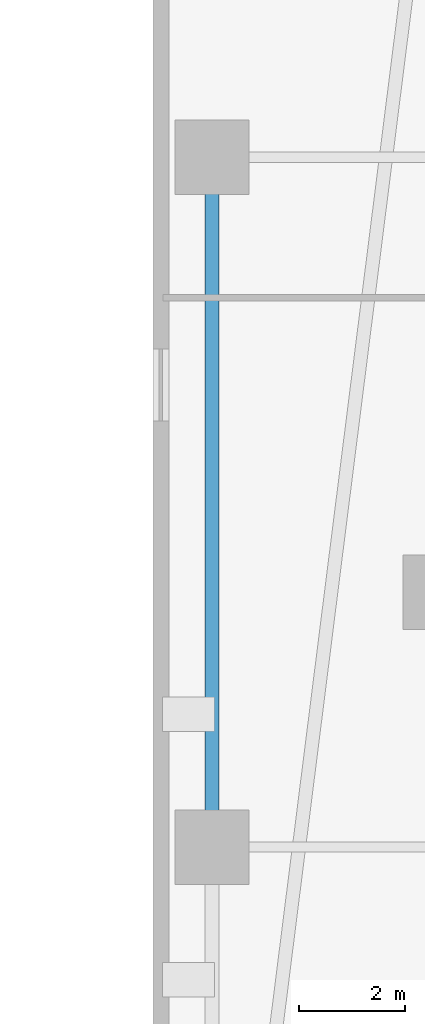
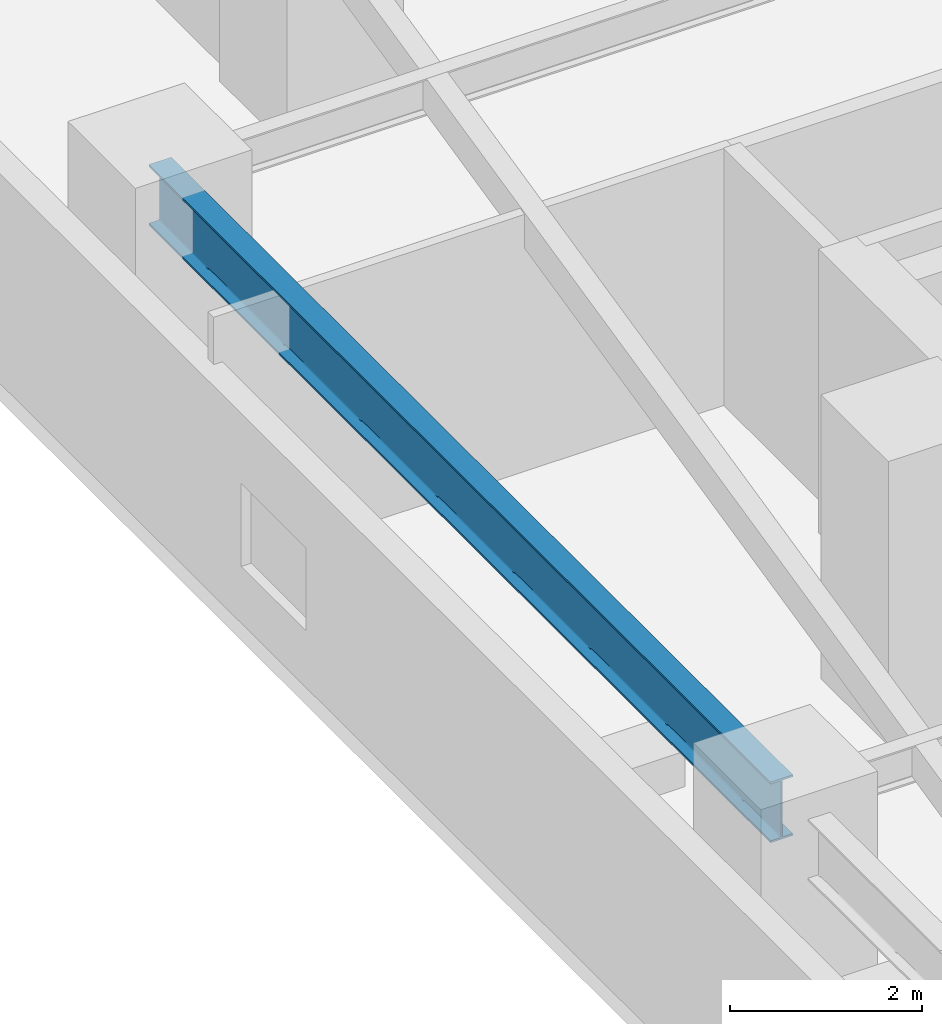
# One storey, part 11 of 36: 1 beam.
"""IFC4 building model written with IfcOpenShell, lengths in metres."""

from ifc_helpers import new_model, si_unit, direction, frame, origin, origin_2d, place, context, subcontext, project, spatial, i_section, extrude, material, material_profile, profile_set, type_object, element, save


model = new_model("IFC4")

# Units and contexts
model_context = context("Model", 3, precision=1e-05, world=origin(), true_north=direction((0.0, 1.0)))
body_context = subcontext(model_context, "Body", "Model", "MODEL_VIEW")
ifc_project = project(units=[si_unit("LENGTHUNIT", "METRE"), si_unit("AREAUNIT", "SQUARE_METRE"), si_unit("VOLUMEUNIT", "CUBIC_METRE"), si_unit("PLANEANGLEUNIT", "RADIAN"), si_unit("MASSUNIT", "GRAM", prefix="KILO")], contexts=[model_context])

# Site, building, storey
site_placement = place(None, origin())
site = spatial("IfcSite", under=ifc_project, at=site_placement, CompositionType="ELEMENT")
building_placement = place(site_placement, origin())
building = spatial("IfcBuilding", under=site, at=building_placement, Name="Thornwick Lancets Civic Towers", CompositionType="ELEMENT")
storey_placement = place(building_placement, frame((0.0, 0.0, 68.10009765625)))
storey = spatial("IfcBuildingStorey", under=building, at=storey_placement, Name="L17", CompositionType="ELEMENT", Elevation=68.10009765625)

# Beam
ifc_material = material(Name="Steel S355JR", Category="steel")
ifc_material_profile = material_profile(ifc_material, i_section(OverallWidth=0.26806640625, OverallDepth=0.769775390625, WebThickness=0.015625, FlangeThickness=0.025390625, FilletRadius=0.0166015625, at=origin_2d()), Name="UKB 762x267x197")
ifc_profile_set = profile_set([ifc_material_profile], Name="Steel S355JR")
beam_type = type_object("IfcBeamType", Name="BM_GIRD_762_197", PredefinedType="BEAM", material=ifc_profile_set)
beam_placement = place(storey_placement, frame((71.199951171875, 27.080078125, 2.89501953125), z_axis=(0.0, 1.0, 0.0), x_axis=(-1.0, 0.0, 0.0)))
element("IfcBeam", 1, at=beam_placement, inside=storey, type_object=beam_type, Name="BM-SPINE-L17-B-7-8", PredefinedType="BEAM", context=body_context, shape_type="SweptSolid", body=[
    extrude(i_section(OverallWidth=0.26806640625, OverallDepth=0.769775390625, WebThickness=0.015625, FlangeThickness=0.025390625, FilletRadius=0.0166015625, at=origin_2d()), origin(), (0.0, 0.0, 1.0), 12.919921875),
])

save(model, "model.ifc")
